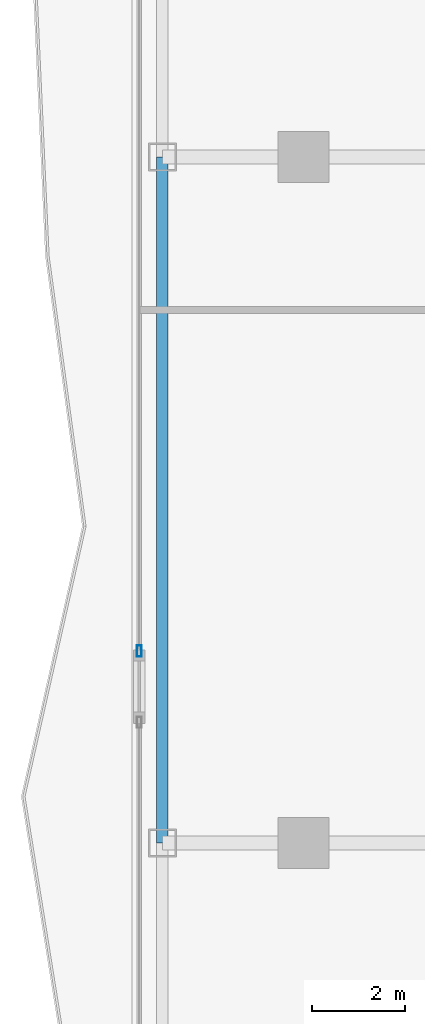
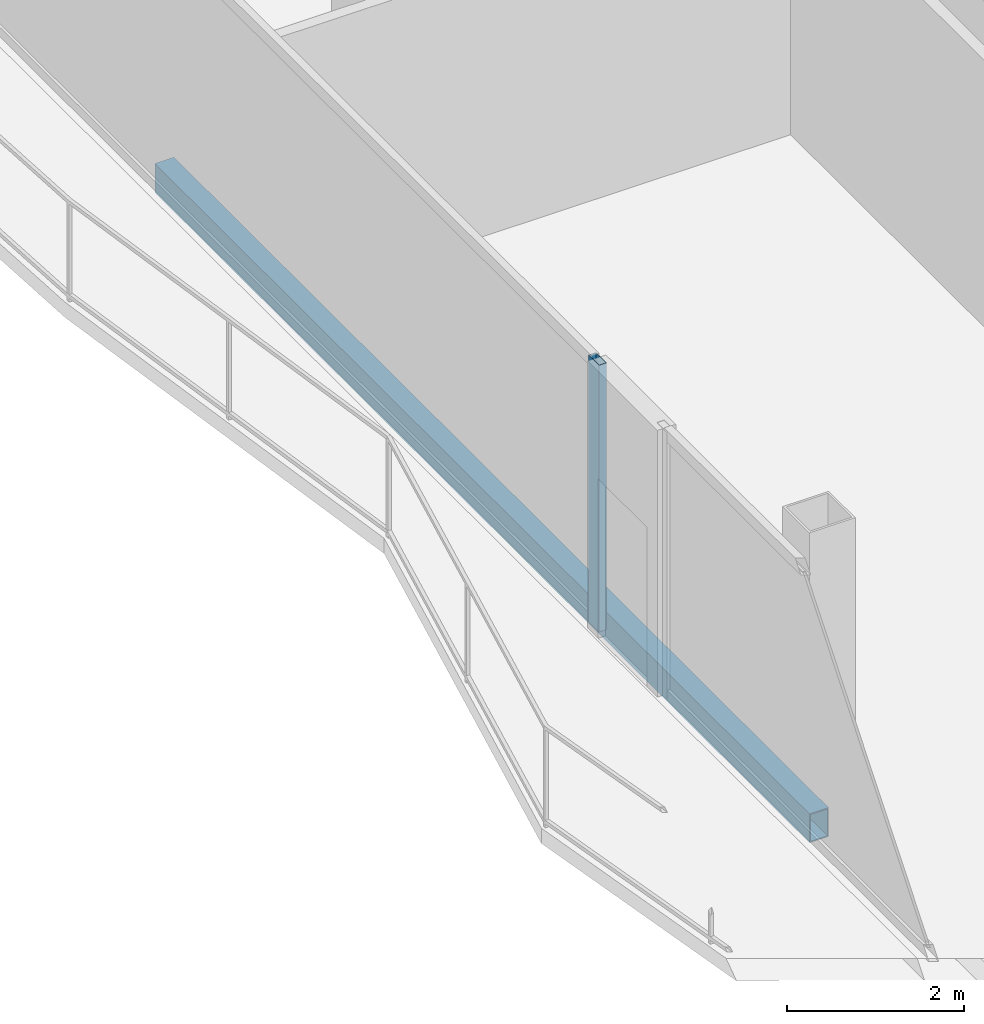
# One storey, part 8 of 26: 1 beam, 1 member, 1 element without a shape of its own.
"""IFC4 building model written with IfcOpenShell, lengths in metres."""

from ifc_helpers import new_model, si_unit, direction, frame, origin, origin_2d, place, context, subcontext, project, spatial, hollow_rectangle, extrude, material, layer, layer_set, material_profile, profile_set, type_object, element, aggregate, save


model = new_model("IFC4")

# Units and contexts
model_context = context("Model", 3, precision=1e-05, world=origin(), true_north=direction((0.0, 1.0)))
body_context = subcontext(model_context, "Body", "Model", "MODEL_VIEW")
ifc_project = project(units=[si_unit("LENGTHUNIT", "METRE"), si_unit("AREAUNIT", "SQUARE_METRE"), si_unit("VOLUMEUNIT", "CUBIC_METRE"), si_unit("PLANEANGLEUNIT", "RADIAN"), si_unit("MASSUNIT", "GRAM", prefix="KILO")], contexts=[model_context])

# Site, building, storey
site_placement = place(None, origin())
site = spatial("IfcSite", under=ifc_project, at=site_placement, CompositionType="ELEMENT")
building_placement = place(site_placement, origin())
building = spatial("IfcBuilding", under=site, at=building_placement, Name="Khorvyn Point Tower", CompositionType="ELEMENT")
storey_placement = place(building_placement, frame((0.0, 0.0, 223.5)))
storey = spatial("IfcBuildingStorey", under=building, at=storey_placement, Name="L55", CompositionType="ELEMENT", Elevation=223.5)

# Curtain wall, member
ifc_material_1 = material(Name="Anodised aluminium 6063-T6 and laminated Low-E glass", Category="aluminium")
ifc_layer = layer(ifc_material_1, 0.18994140625)
ifc_layer_set = layer_set([ifc_layer], Name="Stick-Built Acoustic Curtain Wall CW-SYS-03")
curtain_wall_type = type_object("IfcCurtainWallType", Name="Stick-Built Acoustic Curtain Wall CW-SYS-03", PredefinedType="NOTDEFINED", material=ifc_layer_set)
curtain_wall_placement = place(storey_placement, origin())
curtain_wall = element("IfcCurtainWall", 1, at=curtain_wall_placement, inside=storey, type_object=curtain_wall_type, Name="Curtain Wall", PredefinedType="NOTDEFINED")
ifc_material_2 = material(Name="Anodised aluminium 6063-T6", Category="aluminium")
ifc_material_profile_1 = material_profile(ifc_material_2, hollow_rectangle(XDim=0.10009765625, YDim=0.239990234375, WallThickness=0.0048828125, at=origin_2d()))
ifc_profile_set_1 = profile_set([ifc_material_profile_1], Name="Anodised aluminium 6063-T6 ALU-MUL-100x240")
member_type = type_object("IfcMemberType", Name="Anodised Aluminium 6063-T6 Mullion ALU-MUL-100x240", PredefinedType="MULLION", material=ifc_profile_set_1)
member_placement = place(storey_placement, frame((-18.35009765625, -3.260009765625, 0.0), z_axis=(0.0, 0.0, 1.0), x_axis=(-1.0, 0.0, 0.0)))
member = element("IfcMember", 2, at=member_placement, type_object=member_type, Name="Transom", PredefinedType="MULLION", context=body_context, shape_type="SweptSolid", body=[
    extrude(hollow_rectangle(XDim=0.10009765625, YDim=0.239990234375, WallThickness=0.0048828125, at=origin_2d()), origin(), (0.0, 0.0, 1.0), 3.679931640625),
])
aggregate(curtain_wall, [member])

# Beam
ifc_material_3 = material(Name="Steel S355", Category="steel")
ifc_material_profile_2 = material_profile(ifc_material_3, hollow_rectangle(XDim=0.25, YDim=0.39990234375, WallThickness=0.01611328125, at=origin_2d()))
ifc_profile_set_2 = profile_set([ifc_material_profile_2], Name="Steel S355 RHS400x250x16")
beam_type = type_object("IfcBeamType", Name="Steel S355 Spandrel RHS400x250x16", PredefinedType="SPANDREL", material=ifc_profile_set_2)
beam_placement = place(storey_placement, frame((-17.85009765625, -7.39990234375, -0.419921875), z_axis=(0.0, 1.0, 0.0), x_axis=(-1.0, 0.0, 0.0)))
element("IfcBeam", 3, at=beam_placement, inside=storey, type_object=beam_type, Name="Beam", PredefinedType="SPANDREL", context=body_context, shape_type="SweptSolid", body=[
    extrude(hollow_rectangle(XDim=0.25, YDim=0.39990234375, WallThickness=0.01611328125, at=origin_2d()), origin(), (0.0, 0.0, 1.0), 14.7998046875),
])

save(model, "model.ifc")
